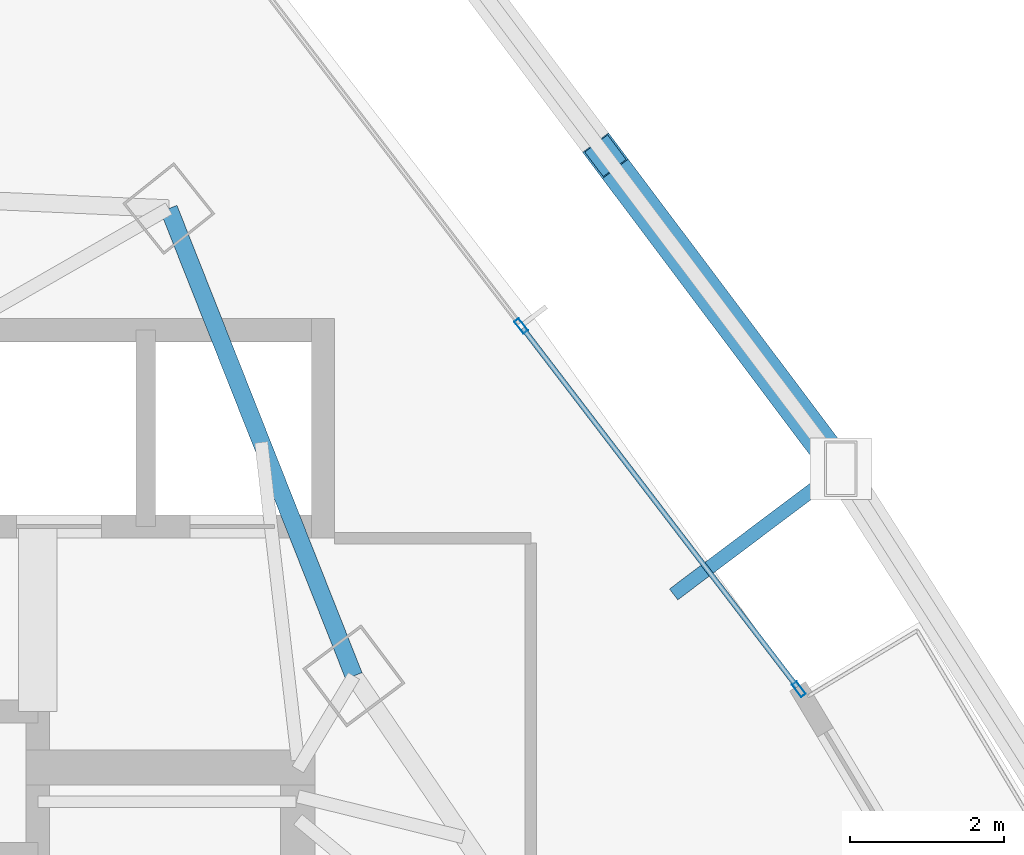
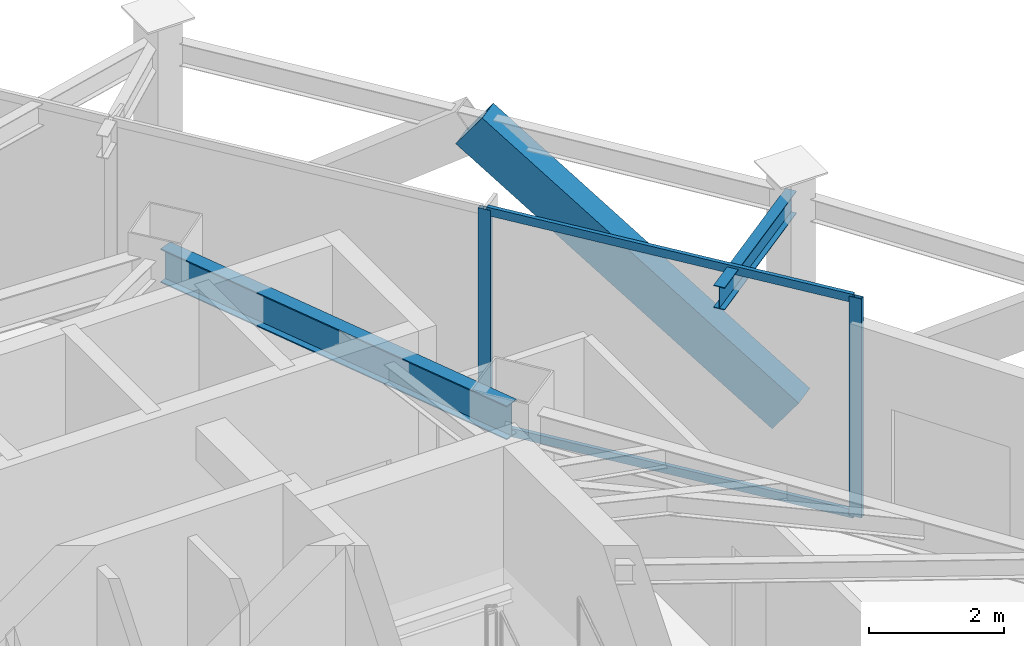
# One storey, part 24 of 33: 5 members, 2 beams, 1 element without a shape of its own.
"""IFC4 building model written with IfcOpenShell, lengths in metres."""

from ifc_helpers import new_model, si_unit, direction, frame, origin, origin_2d, place, context, subcontext, project, spatial, hollow_rectangle, i_section, extrude, material, layer, layer_set, material_profile, profile_set, type_object, element, aggregate, save


model = new_model("IFC4")

# Units and contexts
model_context = context("Model", 3, precision=1e-05, world=origin(), true_north=direction((0.0, 1.0)))
body_context = subcontext(model_context, "Body", "Model", "MODEL_VIEW")
ifc_project = project(units=[si_unit("LENGTHUNIT", "METRE"), si_unit("AREAUNIT", "SQUARE_METRE"), si_unit("VOLUMEUNIT", "CUBIC_METRE"), si_unit("PLANEANGLEUNIT", "RADIAN"), si_unit("MASSUNIT", "GRAM", prefix="KILO")], contexts=[model_context])

# Site, building, storey
site_placement = place(None, origin())
site = spatial("IfcSite", under=ifc_project, at=site_placement, CompositionType="ELEMENT")
building_placement = place(site_placement, origin())
building = spatial("IfcBuilding", under=site, at=building_placement, Name="Orvanel Arch Residences", CompositionType="ELEMENT")
storey_placement = place(building_placement, frame((0.0, 0.0, 97.25)))
storey = spatial("IfcBuildingStorey", under=building, at=storey_placement, Name="L27", CompositionType="ELEMENT", Elevation=97.25)

# Member
ifc_material_1 = material(Name="Structural steel AS/NZS 3678 Grade 350", Category="steel")
ifc_material_profile_1 = material_profile(ifc_material_1, hollow_rectangle(XDim=0.419921875, YDim=0.719970703125, WallThickness=0.02490234375, at=origin_2d()), Name="RHS720x420x25")
ifc_profile_set_1 = profile_set([ifc_material_profile_1], Name="Structural steel AS/NZS 3678 Grade 350")
member_type_1 = type_object("IfcMemberType", Name="BR-720RHS-EXT", PredefinedType="BRACE", material=ifc_profile_set_1)
member_1_placement = place(storey_placement, frame((46.6689453125, 37.800048828125, 0.0), z_axis=(-0.48334352479, 0.643607416499, 0.593421039795), x_axis=(-0.799619388282, -0.600507147237, 0.0)))
element("IfcMember", 1, at=member_1_placement, inside=storey, type_object=member_type_1, Name="L27 Exterior Sky-Garden V-Frame Chevron F3B3.1", PredefinedType="BRACE", context=body_context, shape_type="SweptSolid", body=[
    extrude(hollow_rectangle(XDim=0.419921875, YDim=0.719970703125, WallThickness=0.02490234375, at=origin_2d()), origin(), (0.0, 0.0, 1.0), 6.314453125),
])

# Curtain wall, members
ifc_material_2 = material(Name="Bronze-anodised aluminium AA6063-T6", Category="aluminium")
ifc_layer = layer(ifc_material_2, 0.195068359375)
ifc_layer_set = layer_set([ifc_layer], Name="Bronze-anodised aluminium AA6063-T6")
curtain_wall_type = type_object("IfcCurtainWallType", Name="CW6-COM-SYS", PredefinedType="NOTDEFINED", material=ifc_layer_set)
curtain_wall_placement = place(storey_placement, origin())
curtain_wall = element("IfcCurtainWall", 2, at=curtain_wall_placement, inside=storey, type_object=curtain_wall_type, Name="L27 CW6-COM-SYS Unitised Curtain Wall", PredefinedType="NOTDEFINED")
ifc_material_profile_2 = material_profile(ifc_material_2, hollow_rectangle(XDim=0.074951171875, YDim=0.199951171875, WallThickness=0.0048828125, at=origin_2d()), Name="ALU200x75x5")
ifc_profile_set_2 = profile_set([ifc_material_profile_2], Name="Bronze-anodised aluminium AA6063-T6")
member_type_2 = type_object("IfcMemberType", Name="MUL-200x75", PredefinedType="MULLION", material=ifc_profile_set_2)
member_2_placement = place(storey_placement, frame((46.128173828125, 34.939697265625, 0.0), z_axis=(0.0, 0.0, 1.0), x_axis=(-0.794313486349, -0.607508094929, 0.0)))
member_2 = element("IfcMember", 3, at=member_2_placement, type_object=member_type_2, Name="CW-S6 mullion 1", PredefinedType="MULLION", context=body_context, shape_type="SweptSolid", body=[
    extrude(hollow_rectangle(XDim=0.074951171875, YDim=0.199951171875, WallThickness=0.0048828125, at=origin_2d()), origin(), (0.0, 0.0, 1.0), 3.949951171875),
])
member_3_placement = place(storey_placement, frame((42.521728515625, 39.6552734375, 0.0), z_axis=(0.0, 0.0, 1.0), x_axis=(-0.794313486349, -0.607508094929, 0.0)))
member_3 = element("IfcMember", 4, at=member_3_placement, type_object=member_type_2, Name="CW-S6 mullion 2", PredefinedType="MULLION", context=body_context, shape_type="SweptSolid", body=[
    extrude(hollow_rectangle(XDim=0.074951171875, YDim=0.199951171875, WallThickness=0.0048828125, at=origin_2d()), origin(), (0.0, 0.0, 1.0), 3.949951171875),
])

# Beams
ifc_material_3 = material(Name="Structural steel AS/NZS 3679.1 Grade 300 (300 MPa)", Category="steel")
ifc_material_profile_3 = material_profile(ifc_material_3, i_section(OverallWidth=0.177978515625, OverallDepth=0.406005859375, WebThickness=0.0078125, FlangeThickness=0.0126953125, at=origin_2d()), Name="410UB59.7")
ifc_profile_set_3 = profile_set([ifc_material_profile_3], Name="Structural steel AS/NZS 3679.1 Grade 300 (300 MPa)")
beam_type_1 = type_object("IfcBeamType", Name="OB-410UB-EXT", PredefinedType="SPANDREL", material=ifc_profile_set_3)
beam_1_placement = place(storey_placement, frame((44.501953125, 36.1708984375, 3.7470703125), z_axis=(0.799307863715, 0.600921741164, 0.0), x_axis=(-0.600921741164, 0.799307863715, 0.0)))
element("IfcBeam", 5, at=beam_1_placement, inside=storey, type_object=beam_type_1, Name="L27 Outer Frame Radial Tie Beam 11", PredefinedType="SPANDREL", context=body_context, shape_type="SweptSolid", body=[
    extrude(i_section(OverallWidth=0.177978515625, OverallDepth=0.406005859375, WebThickness=0.0078125, FlangeThickness=0.0126953125, at=origin_2d()), origin(), (0.0, 0.0, 1.0), 2.711181640625),
])
ifc_material_profile_4 = material_profile(ifc_material_3, i_section(OverallWidth=0.22900390625, OverallDepth=0.612060546875, WebThickness=0.011962890625, FlangeThickness=0.01953125, at=origin_2d()), Name="610UB125")
ifc_profile_set_4 = profile_set([ifc_material_profile_4], Name="Structural steel AS/NZS 3679.1 Grade 300 (300 MPa)")
beam_type_2 = type_object("IfcBeamType", Name="SP-610UB", PredefinedType="SPANDREL", material=ifc_profile_set_4)
beam_2_placement = place(storey_placement, frame((40.35205078125, 35.113037109375, 3.64404296875), z_axis=(-0.368233143579, 0.929733484376, 0.0), x_axis=(-0.929733484376, -0.368233143579, 0.0)))
element("IfcBeam", 6, at=beam_2_placement, inside=storey, type_object=beam_type_2, Name="L27 Perimeter Spandrel Beam 15", PredefinedType="SPANDREL", context=body_context, shape_type="SweptSolid", body=[
    extrude(i_section(OverallWidth=0.22900390625, OverallDepth=0.612060546875, WebThickness=0.011962890625, FlangeThickness=0.01953125, at=origin_2d()), origin(), (0.0, 0.0, 1.0), 6.523193359375),
])

# Member
ifc_material_profile_5 = material_profile(ifc_material_2, hollow_rectangle(XDim=0.06494140625, YDim=0.14990234375, WallThickness=0.00390625, at=origin_2d()), Name="ALU150x65x4")
ifc_profile_set_5 = profile_set([ifc_material_profile_5], Name="Bronze-anodised aluminium AA6063-T6")
member_type_3 = type_object("IfcMemberType", Name="TRN-150x65", PredefinedType="USERDEFINED", material=ifc_profile_set_5)
member_4_placement = place(storey_placement, frame((46.10546875, 34.969482421875, 0.032470703125), z_axis=(-0.607510398636, 0.794311724419, 0.0), x_axis=(-0.794311724419, -0.607510398636, 0.0)))
member_4 = element("IfcMember", 7, at=member_4_placement, type_object=member_type_3, Name="CW-S6 transom 1.1", ObjectType="TRANSOM", PredefinedType="USERDEFINED", context=body_context, shape_type="SweptSolid", body=[
    extrude(hollow_rectangle(XDim=0.06494140625, YDim=0.14990234375, WallThickness=0.00390625, at=origin_2d()), origin(), (0.0, 0.0, 1.0), 5.861572265625),
])

member_5_placement = place(storey_placement, frame((46.10546875, 34.969482421875, 3.91748046875), z_axis=(-0.607510398636, 0.794311724419, 0.0), x_axis=(-0.794311724419, -0.607510398636, 0.0)))
member_5 = element("IfcMember", 8, at=member_5_placement, type_object=member_type_3, Name="CW-S6 transom 1.2", ObjectType="TRANSOM", PredefinedType="USERDEFINED", context=body_context, shape_type="SweptSolid", body=[
    extrude(hollow_rectangle(XDim=0.06494140625, YDim=0.14990234375, WallThickness=0.00390625, at=origin_2d()), origin(), (0.0, 0.0, 1.0), 5.861572265625),
])

aggregate(curtain_wall, [member_2, member_3, member_4, member_5])

save(model, "model.ifc")
